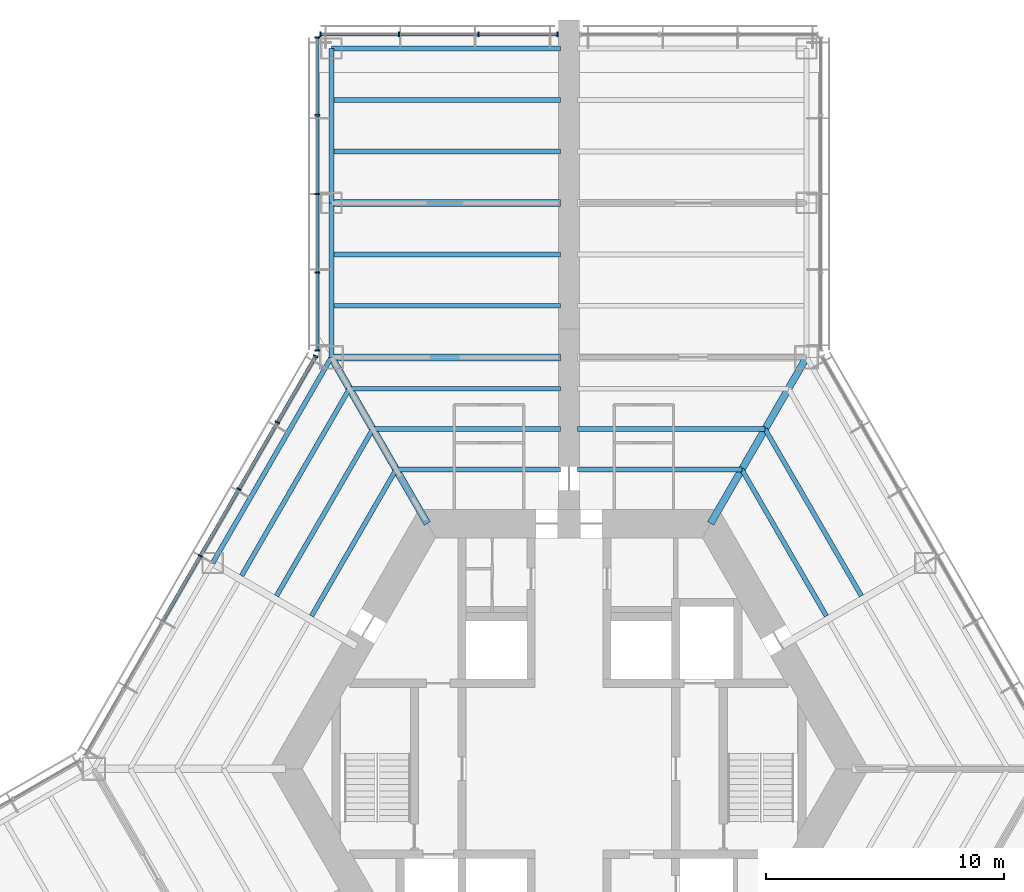
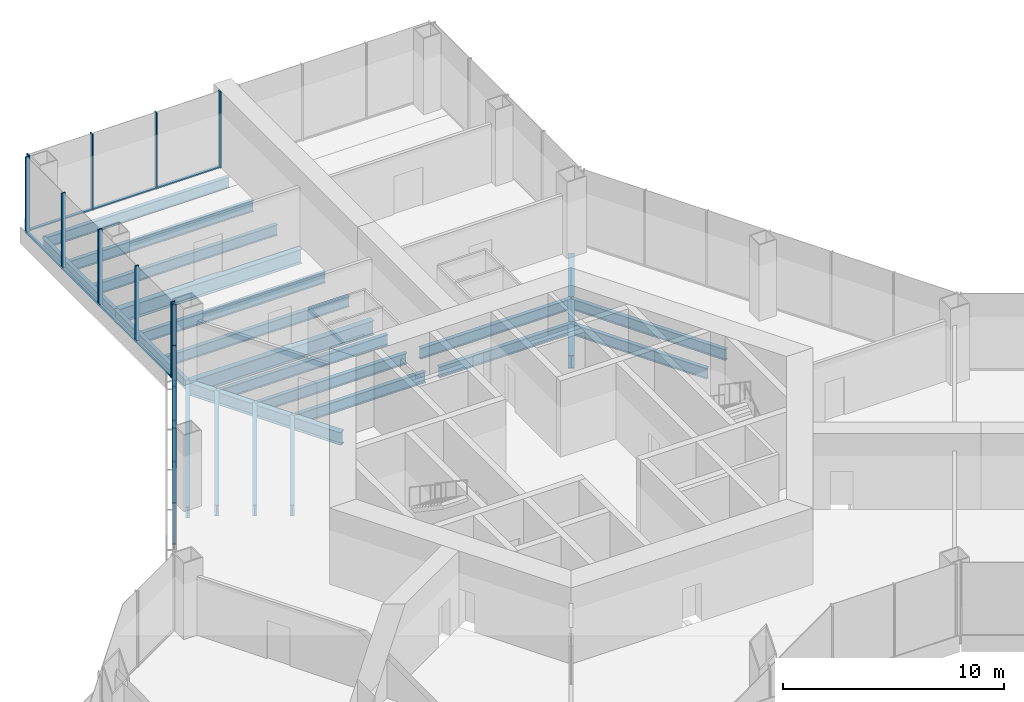
# One storey, part 6 of 15: 24 members, 22 beams, 3 elements without a shape of their own.
"""IFC4 building model written with IfcOpenShell, lengths in metres."""

from ifc_helpers import new_model, si_unit, direction, frame, origin, origin_2d, place, context, subcontext, project, spatial, rectangle, i_section, extrude, material, material_profile, profile_set, type_object, element, aggregate, save


model = new_model("IFC4")

# Units and contexts
model_context = context("Model", 3, precision=1e-05, world=origin(), true_north=direction((0.0, 1.0)))
body_context = subcontext(model_context, "Body", "Model", "MODEL_VIEW")
ifc_project = project(units=[si_unit("LENGTHUNIT", "METRE"), si_unit("AREAUNIT", "SQUARE_METRE"), si_unit("VOLUMEUNIT", "CUBIC_METRE"), si_unit("PLANEANGLEUNIT", "RADIAN"), si_unit("MASSUNIT", "GRAM", prefix="KILO")], contexts=[model_context])

# Site, building, storey
site_placement = place(None, origin())
site = spatial("IfcSite", under=ifc_project, at=site_placement, CompositionType="ELEMENT")
building_placement = place(site_placement, origin())
building = spatial("IfcBuilding", under=site, at=building_placement, Name="Kasaneha Research Tower", CompositionType="ELEMENT")
storey_placement = place(building_placement, frame((0.0, 0.0, 31.0)))
storey = spatial("IfcBuildingStorey", under=building, at=storey_placement, Name="L08", CompositionType="ELEMENT", Elevation=31.0)

# Beams
ifc_material_1 = material(Name="Steel SN490B", Category="steel")
ifc_material_profile_1 = material_profile(ifc_material_1, i_section(OverallWidth=0.199951171875, OverallDepth=0.60009765625, WebThickness=0.010986328125, FlangeThickness=0.01708984375, FilletRadius=0.012939453125, at=origin_2d()), Name="H-600x200x11x17")
ifc_profile_set_1 = profile_set([ifc_material_profile_1], Name="Steel SN490B")
beam_type_1 = type_object("IfcBeamType", Name="B1-2 secondary beam H-600x200x11x17", PredefinedType="JOIST", material=ifc_profile_set_1)
beam_1_placement = place(storey_placement, frame((7.274658203125, 12.60009765625, -0.469970703125), z_axis=(0.499990404686, -0.866030943571, 0.0), x_axis=(0.866030943571, 0.499990404686, 0.0)))
element("IfcBeam", 1, at=beam_1_placement, inside=storey, type_object=beam_type_1, Name="Secondary beam RS030R1 L08", PredefinedType="JOIST", context=body_context, shape_type="SweptSolid", body=[
    extrude(i_section(OverallWidth=0.199951171875, OverallDepth=0.60009765625, WebThickness=0.010986328125, FlangeThickness=0.01708984375, FilletRadius=0.012939453125, at=origin_2d()), origin(), (0.0, 0.0, 1.0), 7.124755859375),
])
beam_2_placement = place(storey_placement, frame((8.256103515625, 14.300048828125, -0.469970703125), z_axis=(0.499984030215, -0.866034623748, 0.0), x_axis=(0.866034623748, 0.499984030215, 0.0)))
element("IfcBeam", 2, at=beam_2_placement, inside=storey, type_object=beam_type_1, Name="Secondary beam RS030R2 L08", PredefinedType="JOIST", context=body_context, shape_type="SweptSolid", body=[
    extrude(i_section(OverallWidth=0.199951171875, OverallDepth=0.60009765625, WebThickness=0.010986328125, FlangeThickness=0.01708984375, FilletRadius=0.012939453125, at=origin_2d()), origin(), (0.0, 0.0, 1.0), 8.106201171875),
])
beam_3_placement = place(storey_placement, frame((7.274658203125, 12.60009765625, -0.469970703125), z_axis=(-1.0, 0.0, 0.0), x_axis=(0.0, -1.0, 0.0)))
element("IfcBeam", 3, at=beam_3_placement, inside=storey, type_object=beam_type_1, Name="Secondary beam RS090L1 L08", PredefinedType="JOIST", context=body_context, shape_type="SweptSolid", body=[
    extrude(i_section(OverallWidth=0.199951171875, OverallDepth=0.60009765625, WebThickness=0.010986328125, FlangeThickness=0.01708984375, FilletRadius=0.012939453125, at=origin_2d()), origin(), (0.0, 0.0, 1.0), 6.924560546875),
])
beam_4_placement = place(storey_placement, frame((8.256103515625, 14.300048828125, -0.469970703125), z_axis=(-1.0, 0.0, 0.0), x_axis=(0.0, -1.0, 0.0)))
element("IfcBeam", 4, at=beam_4_placement, inside=storey, type_object=beam_type_1, Name="Secondary beam RS090L2 L08", PredefinedType="JOIST", context=body_context, shape_type="SweptSolid", body=[
    extrude(i_section(OverallWidth=0.199951171875, OverallDepth=0.60009765625, WebThickness=0.010986328125, FlangeThickness=0.01708984375, FilletRadius=0.012939453125, at=origin_2d()), origin(), (0.0, 0.0, 1.0), 7.906005859375),
])
beam_5_placement = place(storey_placement, frame((-7.274658203125, 12.60009765625, -0.469970703125), z_axis=(1.0, 0.0, 0.0), x_axis=(0.0, 1.0, 0.0)))
element("IfcBeam", 5, at=beam_5_placement, inside=storey, type_object=beam_type_1, Name="Secondary beam RS090R1 L08", PredefinedType="JOIST", context=body_context, shape_type="SweptSolid", body=[
    extrude(i_section(OverallWidth=0.199951171875, OverallDepth=0.60009765625, WebThickness=0.010986328125, FlangeThickness=0.01708984375, FilletRadius=0.012939453125, at=origin_2d()), origin(), (0.0, 0.0, 1.0), 6.924560546875),
])
beam_6_placement = place(storey_placement, frame((-8.256103515625, 14.300048828125, -0.469970703125), z_axis=(1.0, 0.0, 0.0), x_axis=(0.0, 1.0, 0.0)))
element("IfcBeam", 6, at=beam_6_placement, inside=storey, type_object=beam_type_1, Name="Secondary beam RS090R2 L08", PredefinedType="JOIST", context=body_context, shape_type="SweptSolid", body=[
    extrude(i_section(OverallWidth=0.199951171875, OverallDepth=0.60009765625, WebThickness=0.010986328125, FlangeThickness=0.01708984375, FilletRadius=0.012939453125, at=origin_2d()), origin(), (0.0, 0.0, 1.0), 7.906005859375),
])
beam_7_placement = place(storey_placement, frame((-9.237548828125, 16.0, -0.469970703125), z_axis=(1.0, 0.0, 0.0), x_axis=(0.0, 1.0, 0.0)))
element("IfcBeam", 7, at=beam_7_placement, inside=storey, type_object=beam_type_1, Name="Secondary beam RS090R3 L08", PredefinedType="JOIST", context=body_context, shape_type="SweptSolid", body=[
    extrude(i_section(OverallWidth=0.199951171875, OverallDepth=0.60009765625, WebThickness=0.010986328125, FlangeThickness=0.01708984375, FilletRadius=0.012939453125, at=origin_2d()), origin(), (0.0, 0.0, 1.0), 8.887451171875),
])
beam_8_placement = place(storey_placement, frame((-7.274658203125, 12.60009765625, -0.469970703125), z_axis=(-0.499990404686, -0.866030943571, 0.0), x_axis=(0.866030943571, -0.499990404686, 0.0)))
element("IfcBeam", 8, at=beam_8_placement, inside=storey, type_object=beam_type_1, Name="Secondary beam RS150L1 L08", PredefinedType="JOIST", context=body_context, shape_type="SweptSolid", body=[
    extrude(i_section(OverallWidth=0.199951171875, OverallDepth=0.60009765625, WebThickness=0.010986328125, FlangeThickness=0.01708984375, FilletRadius=0.012939453125, at=origin_2d()), origin(), (0.0, 0.0, 1.0), 7.124755859375),
])
beam_9_placement = place(storey_placement, frame((-8.256103515625, 14.300048828125, -0.469970703125), z_axis=(-0.499984030215, -0.866034623748, 0.0), x_axis=(0.866034623748, -0.499984030215, 0.0)))
element("IfcBeam", 9, at=beam_9_placement, inside=storey, type_object=beam_type_1, Name="Secondary beam RS150L2 L08", PredefinedType="JOIST", context=body_context, shape_type="SweptSolid", body=[
    extrude(i_section(OverallWidth=0.199951171875, OverallDepth=0.60009765625, WebThickness=0.010986328125, FlangeThickness=0.01708984375, FilletRadius=0.012939453125, at=origin_2d()), origin(), (0.0, 0.0, 1.0), 8.106201171875),
])
beam_10_placement = place(storey_placement, frame((-9.237548828125, 16.0, -0.469970703125), z_axis=(-0.500010814234, -0.866019160093, 0.0), x_axis=(0.866019160093, -0.500010814234, 0.0)))
element("IfcBeam", 10, at=beam_10_placement, inside=storey, type_object=beam_type_1, Name="Secondary beam RS150L3 L08", PredefinedType="JOIST", context=body_context, shape_type="SweptSolid", body=[
    extrude(i_section(OverallWidth=0.199951171875, OverallDepth=0.60009765625, WebThickness=0.010986328125, FlangeThickness=0.01708984375, FilletRadius=0.012939453125, at=origin_2d()), origin(), (0.0, 0.0, 1.0), 9.087646484375),
])
ifc_material_2 = material(Name="Steel SN490B", Category="steel")
ifc_material_profile_2 = material_profile(ifc_material_2, i_section(OverallWidth=0.198974609375, OverallDepth=0.595947265625, WebThickness=0.010009765625, FlangeThickness=0.014892578125, FilletRadius=0.012939453125, at=origin_2d()), Name="H-596x199x10x15")
ifc_profile_set_2 = profile_set([ifc_material_profile_2], Name="Steel SN490B")
beam_type_2 = type_object("IfcBeamType", Name="B2-2 secondary beam H-596x199x10x15", PredefinedType="JOIST", material=ifc_profile_set_2)
for number, where, z_axis, x_axis, name in (
    (11, (-10.0, 19.487060546875, -0.468017578125), (1.0, 0.0, 0.0), (0.0, 1.0, 0.0), "Secondary beam WBAN1 L08"),
    (12, (-10.0, 21.65380859375, -0.468017578125), (1.0, 0.0, 0.0), (0.0, 1.0, 0.0), "Secondary beam WBAN2 L08"),
    (13, (-10.0, 25.987060546875, -0.468017578125), (1.0, 0.0, 0.0), (0.0, 1.0, 0.0), "Secondary beam WBAN3 L08"),
    (14, (-10.0, 28.15380859375, -0.468017578125), (1.0, 0.0, 0.0), (0.0, 1.0, 0.0), "Secondary beam WBAN4 L08"),
):
    element("IfcBeam", number, at=place(storey_placement, frame(where, z_axis=z_axis, x_axis=x_axis)), inside=storey, type_object=beam_type_2, Name=name, PredefinedType="JOIST", context=body_context, shape_type="SweptSolid", body=[
        extrude(i_section(OverallWidth=0.198974609375, OverallDepth=0.595947265625, WebThickness=0.010009765625, FlangeThickness=0.014892578125, FilletRadius=0.012939453125, at=origin_2d()), origin(), (0.0, 0.0, 1.0), 9.64990234375),
    ])

# Curtain wall, members
ifc_material_3 = material(Name="Glass and aluminium", Category="aluminium")
curtain_wall_type = type_object("IfcCurtainWallType", Name="Dry laboratory curtain wall", PredefinedType="USERDEFINED", material=ifc_material_3)
curtain_wall_1_placement = place(storey_placement, origin())
curtain_wall_1 = element("IfcCurtainWall", 15, at=curtain_wall_1_placement, inside=storey, type_object=curtain_wall_type, Name="CW-L2 L08 run 10a", ObjectType="UNITISED CURTAIN WALL", PredefinedType="USERDEFINED")
ifc_material_4 = material(Name="Aluminium 6063-T6", Category="aluminium")
ifc_material_profile_3 = material_profile(ifc_material_4, rectangle(XDim=0.06494140625, YDim=0.199951171875, at=origin_2d()), Name="CW-L2 mullion 65x200")
ifc_profile_set_3 = profile_set([ifc_material_profile_3], Name="Aluminium 6063-T6")
member_type_1 = type_object("IfcMemberType", Name="CW-L2 mullion", PredefinedType="MULLION", material=ifc_profile_set_3)
member_1_placement = place(storey_placement, frame((-0.482421875, 30.92041015625, 0.0), z_axis=(0.0, 0.0, 1.0), x_axis=(-1.0, 0.0, 0.0)))
member_1 = element("IfcMember", 16, at=member_1_placement, type_object=member_type_1, Name="CW-L2 mullion 1", PredefinedType="MULLION", context=body_context, shape_type="SweptSolid", body=[
    extrude(rectangle(XDim=0.06494140625, YDim=0.199951171875, at=origin_2d()), origin(), (0.0, 0.0, 1.0), 4.199951171875),
])
member_2_placement = place(storey_placement, frame((-3.800048828125, 30.92041015625, 0.0), z_axis=(0.0, 0.0, 1.0), x_axis=(-1.0, 0.0, 0.0)))
member_2 = element("IfcMember", 17, at=member_2_placement, type_object=member_type_1, Name="CW-L2 mullion 2", PredefinedType="MULLION", context=body_context, shape_type="SweptSolid", body=[
    extrude(rectangle(XDim=0.06494140625, YDim=0.199951171875, at=origin_2d()), origin(), (0.0, 0.0, 1.0), 4.199951171875),
])
member_3_placement = place(storey_placement, frame((-7.14990234375, 30.92041015625, 0.0), z_axis=(0.0, 0.0, 1.0), x_axis=(-1.0, 0.0, 0.0)))
member_3 = element("IfcMember", 18, at=member_3_placement, type_object=member_type_1, Name="CW-L2 mullion 3", PredefinedType="MULLION", context=body_context, shape_type="SweptSolid", body=[
    extrude(rectangle(XDim=0.06494140625, YDim=0.199951171875, at=origin_2d()), origin(), (0.0, 0.0, 1.0), 4.199951171875),
])
member_4_placement = place(storey_placement, frame((-10.467529296875, 30.92041015625, 0.0), z_axis=(0.0, 0.0, 1.0), x_axis=(-1.0, 0.0, 0.0)))
member_4 = element("IfcMember", 19, at=member_4_placement, type_object=member_type_1, Name="CW-L2 mullion 4", PredefinedType="MULLION", context=body_context, shape_type="SweptSolid", body=[
    extrude(rectangle(XDim=0.06494140625, YDim=0.199951171875, at=origin_2d()), origin(), (0.0, 0.0, 1.0), 4.199951171875),
])

curtain_wall_2_placement = place(storey_placement, origin())
curtain_wall_2 = element("IfcCurtainWall", 20, at=curtain_wall_2_placement, inside=storey, type_object=curtain_wall_type, Name="CW-L2 L08 run 11a", ObjectType="UNITISED CURTAIN WALL", PredefinedType="USERDEFINED")
member_5_placement = place(storey_placement, frame((-10.60009765625, 30.7880859375, 0.0), z_axis=(0.0, 0.0, 1.0), x_axis=(0.0, -1.0, 0.0)))
member_5 = element("IfcMember", 21, at=member_5_placement, type_object=member_type_1, Name="CW-L2 mullion 1", PredefinedType="MULLION", context=body_context, shape_type="SweptSolid", body=[
    extrude(rectangle(XDim=0.06494140625, YDim=0.199951171875, at=origin_2d()), origin(), (0.0, 0.0, 1.0), 4.199951171875),
])
member_6_placement = place(storey_placement, frame((-10.60009765625, 27.5107421875, 0.0), z_axis=(0.0, 0.0, 1.0), x_axis=(0.0, -1.0, 0.0)))
member_6 = element("IfcMember", 22, at=member_6_placement, type_object=member_type_1, Name="CW-L2 mullion 2", PredefinedType="MULLION", context=body_context, shape_type="SweptSolid", body=[
    extrude(rectangle(XDim=0.06494140625, YDim=0.199951171875, at=origin_2d()), origin(), (0.0, 0.0, 1.0), 4.199951171875),
])
member_7_placement = place(storey_placement, frame((-10.60009765625, 24.200927734375, 0.0), z_axis=(0.0, 0.0, 1.0), x_axis=(0.0, -1.0, 0.0)))
member_7 = element("IfcMember", 23, at=member_7_placement, type_object=member_type_1, Name="CW-L2 mullion 3", PredefinedType="MULLION", context=body_context, shape_type="SweptSolid", body=[
    extrude(rectangle(XDim=0.06494140625, YDim=0.199951171875, at=origin_2d()), origin(), (0.0, 0.0, 1.0), 4.199951171875),
])
member_8_placement = place(storey_placement, frame((-10.60009765625, 20.89111328125, 0.0), z_axis=(0.0, 0.0, 1.0), x_axis=(0.0, -1.0, 0.0)))
member_8 = element("IfcMember", 24, at=member_8_placement, type_object=member_type_1, Name="CW-L2 mullion 4", PredefinedType="MULLION", context=body_context, shape_type="SweptSolid", body=[
    extrude(rectangle(XDim=0.06494140625, YDim=0.199951171875, at=origin_2d()), origin(), (0.0, 0.0, 1.0), 4.199951171875),
])
member_9_placement = place(storey_placement, frame((-10.60009765625, 17.61376953125, 0.0), z_axis=(0.0, 0.0, 1.0), x_axis=(0.0, -1.0, 0.0)))
member_9 = element("IfcMember", 25, at=member_9_placement, type_object=member_type_1, Name="CW-L2 mullion 5", PredefinedType="MULLION", context=body_context, shape_type="SweptSolid", body=[
    extrude(rectangle(XDim=0.06494140625, YDim=0.199951171875, at=origin_2d()), origin(), (0.0, 0.0, 1.0), 4.199951171875),
])

curtain_wall_3_placement = place(storey_placement, origin())
curtain_wall_3 = element("IfcCurtainWall", 26, at=curtain_wall_3_placement, inside=storey, type_object=curtain_wall_type, Name="CW-L2 L08 run 12a", ObjectType="UNITISED CURTAIN WALL", PredefinedType="USERDEFINED")
member_10_placement = place(storey_placement, frame((-10.666259765625, 17.366455078125, 0.0), z_axis=(0.0, 0.0, 1.0), x_axis=(-0.49999996188, -0.866025425793, 0.0)))
member_10 = element("IfcMember", 27, at=member_10_placement, type_object=member_type_1, Name="CW-L2 mullion 1", PredefinedType="MULLION", context=body_context, shape_type="SweptSolid", body=[
    extrude(rectangle(XDim=0.06494140625, YDim=0.199951171875, at=origin_2d()), origin(), (0.0, 0.0, 1.0), 4.199951171875),
])
member_11_placement = place(storey_placement, frame((-12.273193359375, 14.583251953125, 0.0), z_axis=(0.0, 0.0, 1.0), x_axis=(-0.49999996188, -0.866025425793, 0.0)))
member_11 = element("IfcMember", 28, at=member_11_placement, type_object=member_type_1, Name="CW-L2 mullion 2", PredefinedType="MULLION", context=body_context, shape_type="SweptSolid", body=[
    extrude(rectangle(XDim=0.06494140625, YDim=0.199951171875, at=origin_2d()), origin(), (0.0, 0.0, 1.0), 4.199951171875),
])
member_12_placement = place(storey_placement, frame((-13.896484375, 11.771728515625, 0.0), z_axis=(0.0, 0.0, 1.0), x_axis=(-0.49999996188, -0.866025425793, 0.0)))
member_12 = element("IfcMember", 29, at=member_12_placement, type_object=member_type_1, Name="CW-L2 mullion 3", PredefinedType="MULLION", context=body_context, shape_type="SweptSolid", body=[
    extrude(rectangle(XDim=0.06494140625, YDim=0.199951171875, at=origin_2d()), origin(), (0.0, 0.0, 1.0), 4.199951171875),
])
member_13_placement = place(storey_placement, frame((-15.51953125, 8.960205078125, 0.0), z_axis=(0.0, 0.0, 1.0), x_axis=(-0.49999996188, -0.866025425793, 0.0)))
member_13 = element("IfcMember", 30, at=member_13_placement, type_object=member_type_1, Name="CW-L2 mullion 4", PredefinedType="MULLION", context=body_context, shape_type="SweptSolid", body=[
    extrude(rectangle(XDim=0.06494140625, YDim=0.199951171875, at=origin_2d()), origin(), (0.0, 0.0, 1.0), 4.199951171875),
])

# Member
ifc_material_5 = material(Name="Aluminium 6063-T6", Category="aluminium")
ifc_material_profile_4 = material_profile(ifc_material_5, rectangle(XDim=0.14990234375, YDim=0.06494140625, at=origin_2d()), Name="CW-L2 transom 150x65")
ifc_profile_set_4 = profile_set([ifc_material_profile_4], Name="Aluminium 6063-T6")
member_type_2 = type_object("IfcMemberType", Name="CW-L2 transom", PredefinedType="USERDEFINED", material=ifc_profile_set_4)
member_14_placement = place(storey_placement, frame((-0.514892578125, 30.92041015625, 0.032470703125), z_axis=(-1.0, 0.0, 0.0), x_axis=(0.0, -1.0, 0.0)))
member_14 = element("IfcMember", 31, at=member_14_placement, type_object=member_type_2, Name="CW-L2 transom 1", ObjectType="TRANSOM", PredefinedType="USERDEFINED", context=body_context, shape_type="SweptSolid", body=[
    extrude(rectangle(XDim=0.14990234375, YDim=0.06494140625, at=origin_2d()), origin(), (0.0, 0.0, 1.0), 3.252685546875),
])

member_15_placement = place(storey_placement, frame((-3.83251953125, 30.92041015625, 0.032470703125), z_axis=(-1.0, 0.0, 0.0), x_axis=(0.0, -1.0, 0.0)))
member_15 = element("IfcMember", 32, at=member_15_placement, type_object=member_type_2, Name="CW-L2 transom 2", ObjectType="TRANSOM", PredefinedType="USERDEFINED", context=body_context, shape_type="SweptSolid", body=[
    extrude(rectangle(XDim=0.14990234375, YDim=0.06494140625, at=origin_2d()), origin(), (0.0, 0.0, 1.0), 3.284912109375),
])

member_16_placement = place(storey_placement, frame((-7.1826171875, 30.92041015625, 0.032470703125), z_axis=(-1.0, 0.0, 0.0), x_axis=(0.0, -1.0, 0.0)))
member_16 = element("IfcMember", 33, at=member_16_placement, type_object=member_type_2, Name="CW-L2 transom 3", ObjectType="TRANSOM", PredefinedType="USERDEFINED", context=body_context, shape_type="SweptSolid", body=[
    extrude(rectangle(XDim=0.14990234375, YDim=0.06494140625, at=origin_2d()), origin(), (0.0, 0.0, 1.0), 3.25244140625),
])

aggregate(curtain_wall_1, [member_1, member_2, member_3, member_4, member_14, member_15, member_16])

member_17_placement = place(storey_placement, frame((-10.60009765625, 30.755615234375, 0.032470703125), z_axis=(0.0, -1.0, 0.0), x_axis=(1.0, 0.0, 0.0)))
member_17 = element("IfcMember", 34, at=member_17_placement, type_object=member_type_2, Name="CW-L2 transom 1", ObjectType="TRANSOM", PredefinedType="USERDEFINED", context=body_context, shape_type="SweptSolid", body=[
    extrude(rectangle(XDim=0.14990234375, YDim=0.06494140625, at=origin_2d()), origin(), (0.0, 0.0, 1.0), 3.21240234375),
])

member_18_placement = place(storey_placement, frame((-10.60009765625, 27.478271484375, 0.032470703125), z_axis=(0.0, -1.0, 0.0), x_axis=(1.0, 0.0, 0.0)))
member_18 = element("IfcMember", 35, at=member_18_placement, type_object=member_type_2, Name="CW-L2 transom 2", ObjectType="TRANSOM", PredefinedType="USERDEFINED", context=body_context, shape_type="SweptSolid", body=[
    extrude(rectangle(XDim=0.14990234375, YDim=0.06494140625, at=origin_2d()), origin(), (0.0, 0.0, 1.0), 3.244873046875),
])

member_19_placement = place(storey_placement, frame((-10.60009765625, 24.16845703125, 0.032470703125), z_axis=(0.0, -1.0, 0.0), x_axis=(1.0, 0.0, 0.0)))
member_19 = element("IfcMember", 36, at=member_19_placement, type_object=member_type_2, Name="CW-L2 transom 3", ObjectType="TRANSOM", PredefinedType="USERDEFINED", context=body_context, shape_type="SweptSolid", body=[
    extrude(rectangle(XDim=0.14990234375, YDim=0.06494140625, at=origin_2d()), origin(), (0.0, 0.0, 1.0), 3.244873046875),
])

member_20_placement = place(storey_placement, frame((-10.60009765625, 20.858642578125, 0.032470703125), z_axis=(0.0, -1.0, 0.0), x_axis=(1.0, 0.0, 0.0)))
member_20 = element("IfcMember", 37, at=member_20_placement, type_object=member_type_2, Name="CW-L2 transom 4", ObjectType="TRANSOM", PredefinedType="USERDEFINED", context=body_context, shape_type="SweptSolid", body=[
    extrude(rectangle(XDim=0.14990234375, YDim=0.06494140625, at=origin_2d()), origin(), (0.0, 0.0, 1.0), 3.21240234375),
])

aggregate(curtain_wall_2, [member_5, member_6, member_7, member_8, member_9, member_17, member_18, member_19, member_20])

member_21_placement = place(storey_placement, frame((-10.6826171875, 17.33837890625, 0.032470703125), z_axis=(-0.499941702305, -0.866059059358, 0.0), x_axis=(0.866059059358, -0.499941702305, 0.0)))
member_21 = element("IfcMember", 38, at=member_21_placement, type_object=member_type_2, Name="CW-L2 transom 1", ObjectType="TRANSOM", PredefinedType="USERDEFINED", context=body_context, shape_type="SweptSolid", body=[
    extrude(rectangle(XDim=0.14990234375, YDim=0.06494140625, at=origin_2d()), origin(), (0.0, 0.0, 1.0), 3.14892578125),
])

member_22_placement = place(storey_placement, frame((-12.28955078125, 14.55517578125, 0.032470703125), z_axis=(-0.499943876812, -0.866057804098, 0.0), x_axis=(0.866057804098, -0.499943876812, 0.0)))
member_22 = element("IfcMember", 39, at=member_22_placement, type_object=member_type_2, Name="CW-L2 transom 2", ObjectType="TRANSOM", PredefinedType="USERDEFINED", context=body_context, shape_type="SweptSolid", body=[
    extrude(rectangle(XDim=0.14990234375, YDim=0.06494140625, at=origin_2d()), origin(), (0.0, 0.0, 1.0), 3.181396484375),
])

member_23_placement = place(storey_placement, frame((-13.91259765625, 11.74365234375, 0.032470703125), z_axis=(-0.500001430823, -0.866024577697, 0.0), x_axis=(0.866024577697, -0.500001430823, 0.0)))
member_23 = element("IfcMember", 40, at=member_23_placement, type_object=member_type_2, Name="CW-L2 transom 3", ObjectType="TRANSOM", PredefinedType="USERDEFINED", context=body_context, shape_type="SweptSolid", body=[
    extrude(rectangle(XDim=0.14990234375, YDim=0.06494140625, at=origin_2d()), origin(), (0.0, 0.0, 1.0), 3.181640625),
])

member_24_placement = place(storey_placement, frame((-15.535888671875, 8.93212890625, 0.032470703125), z_axis=(-0.499977104415, -0.866038622153, 0.0), x_axis=(0.866038622153, -0.499977104415, 0.0)))
member_24 = element("IfcMember", 41, at=member_24_placement, type_object=member_type_2, Name="CW-L2 transom 4", ObjectType="TRANSOM", PredefinedType="USERDEFINED", context=body_context, shape_type="SweptSolid", body=[
    extrude(rectangle(XDim=0.14990234375, YDim=0.06494140625, at=origin_2d()), origin(), (0.0, 0.0, 1.0), 3.181396484375),
])

aggregate(curtain_wall_3, [member_10, member_11, member_12, member_13, member_21, member_22, member_23, member_24])

# Beams
ifc_material_6 = material(Name="Steel SN490B", Category="steel")
ifc_material_profile_5 = material_profile(ifc_material_6, i_section(OverallWidth=0.300048828125, OverallDepth=0.699951171875, WebThickness=0.012939453125, FlangeThickness=0.02392578125, FilletRadius=0.01806640625, at=origin_2d()), Name="H-700x300x13x24")
ifc_profile_set_5 = profile_set([ifc_material_profile_5], Name="Steel SN490B")
beam_type_3 = type_object("IfcBeamType", Name="G1-2 radial girder H-700x300x13x24", PredefinedType="BEAM", material=ifc_profile_set_5)
for number, where, z_axis, x_axis, name in (
    (42, (5.961181640625, 10.324951171875, -0.52001953125), (0.49999105496, 0.866030568144, 0.0), (-0.866030568144, 0.49999105496, 0.0), "Radial girder RV060 L08"),
    (43, (-5.961181640625, 10.324951171875, -0.52001953125), (-0.49999105496, 0.866030568144, 0.0), (-0.866030568144, -0.49999105496, 0.0), "Radial girder RV120 L08"),
):
    element("IfcBeam", number, at=place(storey_placement, frame(where, z_axis=z_axis, x_axis=x_axis)), inside=storey, type_object=beam_type_3, Name=name, PredefinedType="BEAM", context=body_context, shape_type="SweptSolid", body=[
        extrude(i_section(OverallWidth=0.300048828125, OverallDepth=0.699951171875, WebThickness=0.012939453125, FlangeThickness=0.02392578125, FilletRadius=0.01806640625, at=origin_2d()), origin(), (0.0, 0.0, 1.0), 8.077880859375),
    ])
ifc_material_7 = material(Name="Steel SN490B", Category="steel")
ifc_material_profile_6 = material_profile(ifc_material_7, i_section(OverallWidth=0.300048828125, OverallDepth=0.7919921875, WebThickness=0.013916015625, FlangeThickness=0.02197265625, FilletRadius=0.01806640625, at=origin_2d()), Name="H-792x300x14x22")
ifc_profile_set_6 = profile_set([ifc_material_profile_6], Name="Steel SN490B")
beam_type_4 = type_object("IfcBeamType", Name="G3-2 plate edge girder H-792x300x14x22", PredefinedType="BEAM", material=ifc_profile_set_6)
beam_11_placement = place(storey_placement, frame((-10.0, 17.320556640625, -0.56591796875), z_axis=(1.0, 0.0, 0.0), x_axis=(0.0, 1.0, 0.0)))
element("IfcBeam", 44, at=beam_11_placement, inside=storey, type_object=beam_type_4, Name="Plate edge girder PEAN L08", PredefinedType="BEAM", context=body_context, shape_type="SweptSolid", body=[
    extrude(i_section(OverallWidth=0.300048828125, OverallDepth=0.7919921875, WebThickness=0.013916015625, FlangeThickness=0.02197265625, FilletRadius=0.01806640625, at=origin_2d()), origin(), (0.0, 0.0, 1.0), 9.64990234375),
])
ifc_material_8 = material(Name="Steel SN490B", Category="steel")
ifc_material_profile_7 = material_profile(ifc_material_8, i_section(OverallWidth=0.300048828125, OverallDepth=0.800048828125, WebThickness=0.013916015625, FlangeThickness=0.02587890625, FilletRadius=0.01806640625, at=origin_2d()), Name="H-800x300x14x26")
ifc_profile_set_7 = profile_set([ifc_material_profile_7], Name="Steel SN490B")
beam_type_5 = type_object("IfcBeamType", Name="G4-2 wing girder H-800x300x14x26", PredefinedType="BEAM", material=ifc_profile_set_7)
beam_12_placement = place(storey_placement, frame((-10.0, 23.820556640625, -0.570068359375), z_axis=(1.0, 0.0, 0.0), x_axis=(0.0, 1.0, 0.0)))
element("IfcBeam", 45, at=beam_12_placement, inside=storey, type_object=beam_type_5, Name="Wing girder WGAN L08", PredefinedType="BEAM", context=body_context, shape_type="SweptSolid", body=[
    extrude(i_section(OverallWidth=0.300048828125, OverallDepth=0.800048828125, WebThickness=0.013916015625, FlangeThickness=0.02587890625, FilletRadius=0.01806640625, at=origin_2d()), origin(), (0.0, 0.0, 1.0), 9.64990234375),
])
ifc_material_9 = material(Name="Steel SN490B", Category="steel")
ifc_material_profile_8 = material_profile(ifc_material_9, i_section(OverallWidth=0.199951171875, OverallDepth=0.60009765625, WebThickness=0.010986328125, FlangeThickness=0.01708984375, FilletRadius=0.012939453125, at=origin_2d()), Name="H-600x200x11x17")
ifc_profile_set_8 = profile_set([ifc_material_profile_8], Name="Steel SN490B")
beam_type_6 = type_object("IfcBeamType", Name="SB1-2 spandrel beam H-600x200x11x17", PredefinedType="SPANDREL", material=ifc_profile_set_8)
beam_13_placement = place(storey_placement, frame((-10.0, 17.320556640625, -0.469970703125), z_axis=(-0.499993662806, -0.866029062534, 0.0), x_axis=(0.866029062534, -0.499993662806, 0.0)))
element("IfcBeam", 46, at=beam_13_placement, inside=storey, type_object=beam_type_6, Name="Spandrel beam SR150L L08", PredefinedType="SPANDREL", context=body_context, shape_type="SweptSolid", body=[
    extrude(i_section(OverallWidth=0.199951171875, OverallDepth=0.60009765625, WebThickness=0.010986328125, FlangeThickness=0.01708984375, FilletRadius=0.012939453125, at=origin_2d()), origin(), (0.0, 0.0, 1.0), 10.000244140625),
])
ifc_material_10 = material(Name="Steel SN490B", Category="steel")
ifc_material_profile_9 = material_profile(ifc_material_10, i_section(OverallWidth=0.199951171875, OverallDepth=0.5, WebThickness=0.010009765625, FlangeThickness=0.01611328125, FilletRadius=0.012939453125, at=origin_2d()), Name="H-500x200x10x16")
ifc_profile_set_9 = profile_set([ifc_material_profile_9], Name="Steel SN490B")
beam_type_7 = type_object("IfcBeamType", Name="SB2-2 spandrel beam H-500x200x10x16", PredefinedType="SPANDREL", material=ifc_profile_set_9)
for number, where, z_axis, x_axis, name in (
    (47, (-10.0, 17.320556640625, -0.419921875), (0.0, 1.0, 0.0), (-1.0, 0.0, 0.0), "Spandrel beam WSAN1 L08"),
    (48, (-10.0, 23.820556640625, -0.419921875), (0.0, 1.0, 0.0), (-1.0, 0.0, 0.0), "Spandrel beam WSAN2 L08"),
):
    element("IfcBeam", number, at=place(storey_placement, frame(where, z_axis=z_axis, x_axis=x_axis)), inside=storey, type_object=beam_type_7, Name=name, PredefinedType="SPANDREL", context=body_context, shape_type="SweptSolid", body=[
        extrude(i_section(OverallWidth=0.199951171875, OverallDepth=0.5, WebThickness=0.010009765625, FlangeThickness=0.01611328125, FilletRadius=0.012939453125, at=origin_2d()), origin(), (0.0, 0.0, 1.0), 6.5),
    ])
ifc_material_11 = material(Name="Steel SN490B", Category="steel")
ifc_material_profile_10 = material_profile(ifc_material_11, i_section(OverallWidth=0.199951171875, OverallDepth=0.60009765625, WebThickness=0.010986328125, FlangeThickness=0.01708984375, FilletRadius=0.012939453125, at=origin_2d()), Name="H-600x200x11x17")
ifc_profile_set_10 = profile_set([ifc_material_profile_10], Name="Steel SN490B")
beam_type_8 = type_object("IfcBeamType", Name="SB3-2 spandrel beam H-600x200x11x17", PredefinedType="SPANDREL", material=ifc_profile_set_10)
beam_14_placement = place(storey_placement, frame((-10.0, 30.320556640625, -0.469970703125), z_axis=(1.0, 0.0, 0.0), x_axis=(0.0, 1.0, 0.0)))
element("IfcBeam", 49, at=beam_14_placement, inside=storey, type_object=beam_type_8, Name="Spandrel beam WTAN L08", PredefinedType="SPANDREL", context=body_context, shape_type="SweptSolid", body=[
    extrude(i_section(OverallWidth=0.199951171875, OverallDepth=0.60009765625, WebThickness=0.010986328125, FlangeThickness=0.01708984375, FilletRadius=0.012939453125, at=origin_2d()), origin(), (0.0, 0.0, 1.0), 9.64990234375),
])

save(model, "model.ifc")
